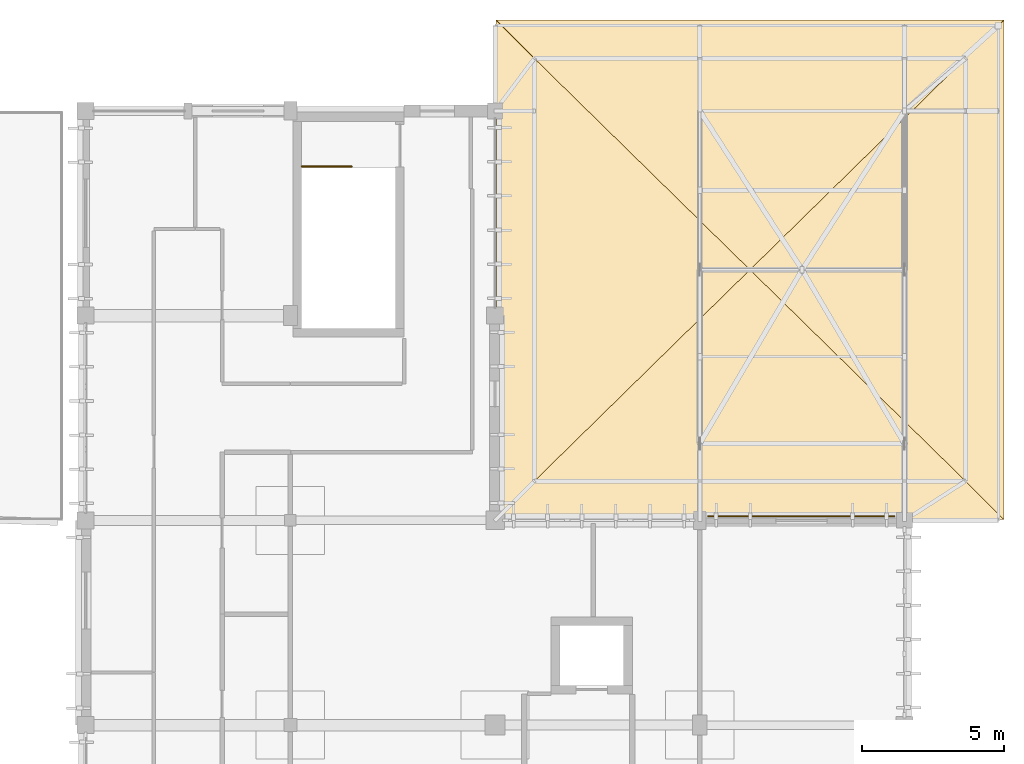
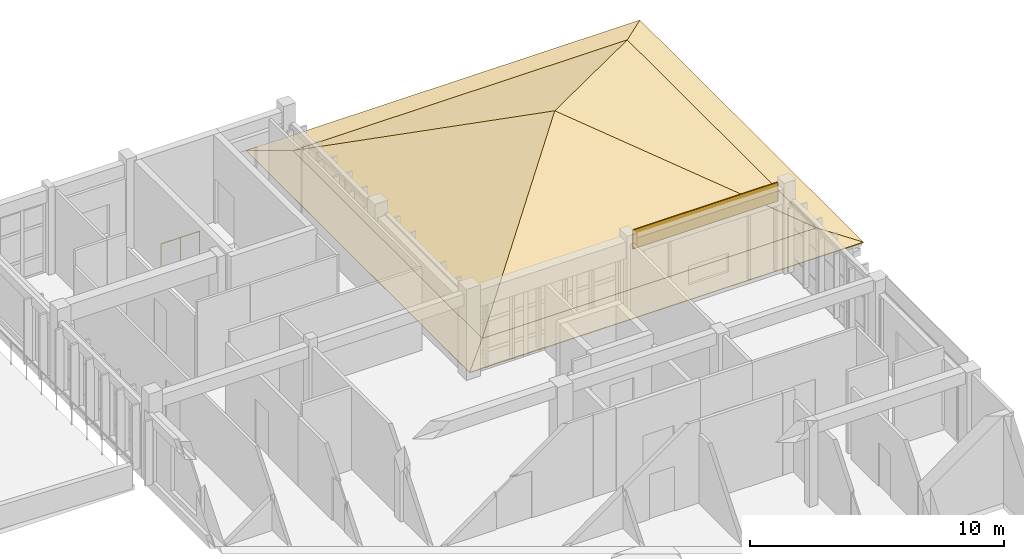
# One storey, part 51 of 51: 9 coverings, 1 railing.
"""IFC4 building model written with IfcOpenShell, lengths in metres."""

from ifc_helpers import new_model, si_unit, direction, frame, origin, origin_2d, place, context, subcontext, project, spatial, polyline, rectangle, circle, outline, extrude, material, layer, layer_set, type_object, element, save


model = new_model("IFC4")

# Units and contexts
model_context = context("Model", 3, precision=1e-05, world=origin(), true_north=direction((0.0, 1.0)))
body_context = subcontext(model_context, "Body", "Model", "MODEL_VIEW")
ifc_project = project(units=[si_unit("LENGTHUNIT", "METRE"), si_unit("AREAUNIT", "SQUARE_METRE"), si_unit("VOLUMEUNIT", "CUBIC_METRE"), si_unit("PLANEANGLEUNIT", "RADIAN"), si_unit("MASSUNIT", "GRAM", prefix="KILO")], contexts=[model_context])

# Site, building, storey
site_placement = place(None, origin())
site = spatial("IfcSite", under=ifc_project, at=site_placement, CompositionType="ELEMENT")
building_placement = place(site_placement, origin())
building = spatial("IfcBuilding", under=site, at=building_placement, Name="Steenspoor Specialist Clinic", CompositionType="ELEMENT")
storey_placement = place(building_placement, frame((0.0, 0.0, 17.39990234375)))
storey = spatial("IfcBuildingStorey", under=building, at=storey_placement, Name="L04", CompositionType="ELEMENT", Elevation=17.39990234375)

# Coverings
ifc_material_1 = material(Name="Glulam GL28h timber screen louvre cladding", Category="wood")
ifc_layer_1 = layer(ifc_material_1, 0.044921875)
ifc_layer_set_1 = layer_set([ifc_layer_1], Name="Glulam GL28h timber screen louvre cladding")
covering_type_1 = type_object("IfcCoveringType", Name="COV-CLAD-TIMBER", PredefinedType="CLADDING", material=ifc_layer_set_1)
covering_1_placement = place(storey_placement, frame((143.175048828125, 94.090087890625, 3.30517578125), z_axis=(0.0, 0.0, 1.0), x_axis=(1.0, 0.0, 0.0)))
element("IfcCovering", 1, at=covering_1_placement, inside=storey, type_object=covering_type_1, Name="Spandrel Cladding 98", PredefinedType="CLADDING", context=body_context, shape_type="SweptSolid", body=[
    extrude(rectangle(XDim=6.580078125, YDim=0.0400390625, at=origin_2d()), origin(), (0.0, 0.0, 1.0), 0.89990234375),
])
ifc_material_2 = material(Name="Extruded terracotta clay roof tile", Category="masonry")
ifc_layer_2 = layer(ifc_material_2, 0.044921875)
ifc_layer_set_2 = layer_set([ifc_layer_2], Name="Extruded terracotta clay roof tile")
covering_type_2 = type_object("IfcCoveringType", Name="COV-ROOF-TILE", PredefinedType="ROOFING", material=ifc_layer_set_2)
for number, where, z_axis, x_axis, name in (
    (2, (132.429931640625, 93.97998046875, 0.048095703125), (0.0, -0.241957600267, 0.970286823405), (1.0, 0.0, 0.0), "Clay Tile Roofing V6T3 SKS"),
    (3, (150.300048828125, 111.550048828125, 0.048095703125), (0.0, 0.241957600267, 0.970286823405), (-1.0, 0.0, 0.0), "Clay Tile Roofing V6T3 SKN"),
):
    element("IfcCovering", number, at=place(storey_placement, frame(where, z_axis=z_axis, x_axis=x_axis)), inside=storey, type_object=covering_type_2, Name=name, PredefinedType="ROOFING", context=body_context, shape_type="SweptSolid", body=[
        extrude(outline(polyline([(0.0, 0.0), (17.8701171875, 0.0), (16.52001953125, 1.3914418125480712), (1.35009765625, 1.3914418125480712), (0.0, 0.0)])), origin(), (0.0, 0.0, -1.0), 0.044921875),
    ])
for number, where, z_axis, x_axis, name in (
    (4, (132.429931640625, 111.550048828125, 0.048095703125), (-0.241957600267, 0.0, 0.970286823405), (0.0, -1.0, 0.0), "Clay Tile Roofing V6T3 SKW"),
    (5, (150.300048828125, 93.97998046875, 0.048095703125), (0.241957600267, 0.0, 0.970286823405), (0.0, 1.0, 0.0), "Clay Tile Roofing V6T3 SKE"),
):
    element("IfcCovering", number, at=place(storey_placement, frame(where, z_axis=z_axis, x_axis=x_axis)), inside=storey, type_object=covering_type_2, Name=name, PredefinedType="ROOFING", context=body_context, shape_type="SweptSolid", body=[
        extrude(outline(polyline([(0.0, 0.0), (17.570068359375, 0.0), (16.219970703125, 1.3914418125480714), (1.35009765625, 1.3914418125480714), (0.0, 0.0)])), origin(), (0.0, 0.0, -1.0), 0.044921875),
    ])
covering_2_placement = place(storey_placement, frame((133.780029296875, 95.330078125, 0.384765625), z_axis=(0.0, -0.451626254302, 0.892207221684), x_axis=(1.0, 0.0, 0.0)))
element("IfcCovering", 6, at=covering_2_placement, inside=storey, type_object=covering_type_2, Name="Clay Tile Roofing V6T3 S", PredefinedType="ROOFING", context=body_context, shape_type="SweptSolid", body=[
    extrude(outline(polyline([(0.0, 0.0), (15.169921875, 0.0), (7.5849609375, 8.33305791797101), (0.0, 0.0)])), origin(), (0.0, 0.0, -1.0), 0.044921875),
])
covering_3_placement = place(storey_placement, frame((148.949951171875, 110.199951171875, 0.384765625), z_axis=(0.0, 0.451614449175, 0.892213197222), x_axis=(-1.0, 0.0, 0.0)))
element("IfcCovering", 7, at=covering_3_placement, inside=storey, type_object=covering_type_2, Name="Clay Tile Roofing V6T3 N", PredefinedType="ROOFING", context=body_context, shape_type="SweptSolid", body=[
    extrude(outline(polyline([(0.0, 0.0), (15.169921875, 0.0), (7.5849609375, 8.333275742729185), (0.0, 0.0)])), origin(), (0.0, 0.0, -1.0), 0.044921875),
])
covering_4_placement = place(storey_placement, frame((133.780029296875, 110.199951171875, 0.384765625), z_axis=(-0.444466551717, 0.0, 0.895795447859), x_axis=(0.0, -1.0, 0.0)))
element("IfcCovering", 8, at=covering_4_placement, inside=storey, type_object=covering_type_2, Name="Clay Tile Roofing V6T3 W", PredefinedType="ROOFING", context=body_context, shape_type="SweptSolid", body=[
    extrude(outline(polyline([(0.0, 0.0), (14.869873046875, 0.0), (7.43505859375, 8.467291227734158), (0.0, 0.0)])), origin(), (0.0, 0.0, -1.0), 0.044921875),
])
covering_5_placement = place(storey_placement, frame((148.949951171875, 95.330078125, 0.384765625), z_axis=(0.444466551717, 0.0, 0.895795447859), x_axis=(0.0, 1.0, 0.0)))
element("IfcCovering", 9, at=covering_5_placement, inside=storey, type_object=covering_type_2, Name="Clay Tile Roofing V6T3 E", PredefinedType="ROOFING", context=body_context, shape_type="SweptSolid", body=[
    extrude(outline(polyline([(0.0, 0.0), (14.869873046875, 0.0), (7.434814453125, 8.467291227734158), (0.0, 0.0)])), origin(), (0.0, 0.0, -1.0), 0.044921875),
])

# Railing
ifc_material_3 = material(Name="Painted architectural steel balustrade", Category="steel")
railing_type = type_object("IfcRailingType", Name="RAIL-GUARD-1100", PredefinedType="GUARDRAIL", material=ifc_material_3)
railing_placement = place(storey_placement, frame((125.60009765625, 106.39990234375, 0.0)))
element("IfcRailing", 10, at=railing_placement, inside=storey, type_object=railing_type, Name="L04 ST-V6A top well guard 1", PredefinedType="GUARDRAIL", context=body_context, shape_type="SweptSolid", body=[
    extrude(circle(Radius=0.02392578125, at=origin_2d()), frame((0.0, 0.0, 1.076171875), z_axis=(1.0, 0.0, 0.0), x_axis=(0.0, 1.0, 0.0)), (0.0, 0.0, 1.0), 1.75),
    extrude(circle(Radius=0.02099609375, at=origin_2d()), origin(), (0.0, 0.0, 1.0), 1.052001953125),
    extrude(circle(Radius=0.02099609375, at=origin_2d()), frame((0.875, 0.0, 0.0)), (0.0, 0.0, 1.0), 1.052001953125),
    extrude(circle(Radius=0.02099609375, at=origin_2d()), frame((1.75, 0.0, 0.0)), (0.0, 0.0, 1.0), 1.052001953125),
])

save(model, "model.ifc")
